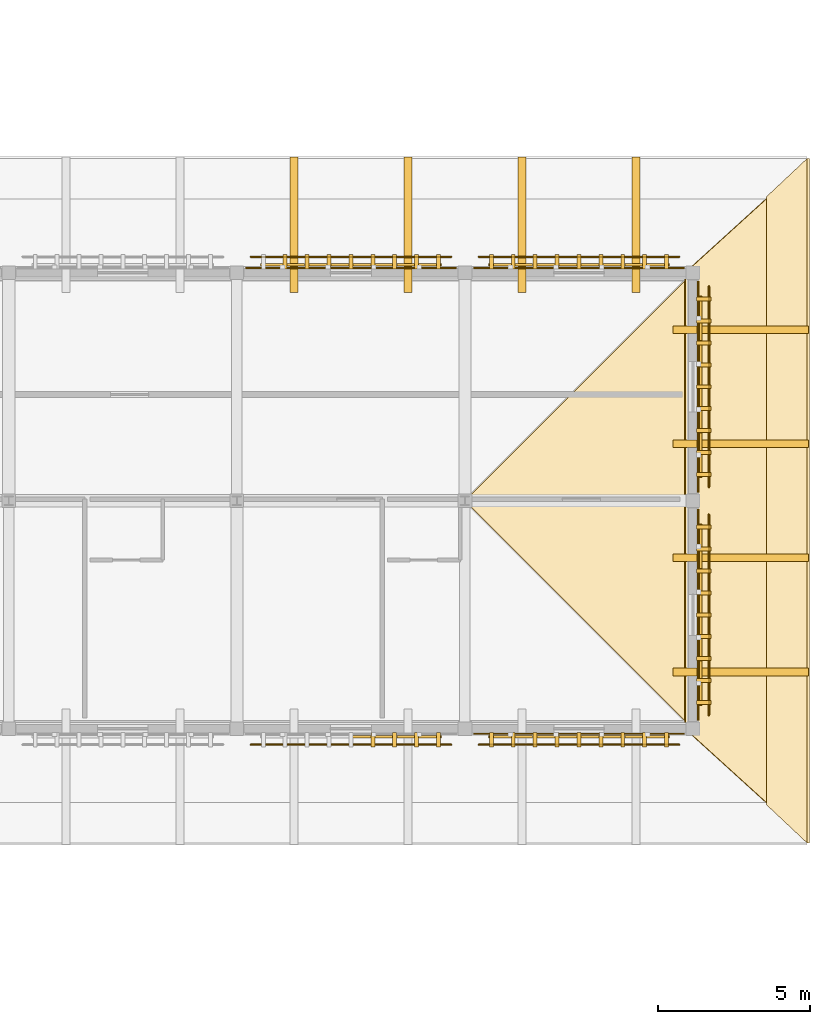
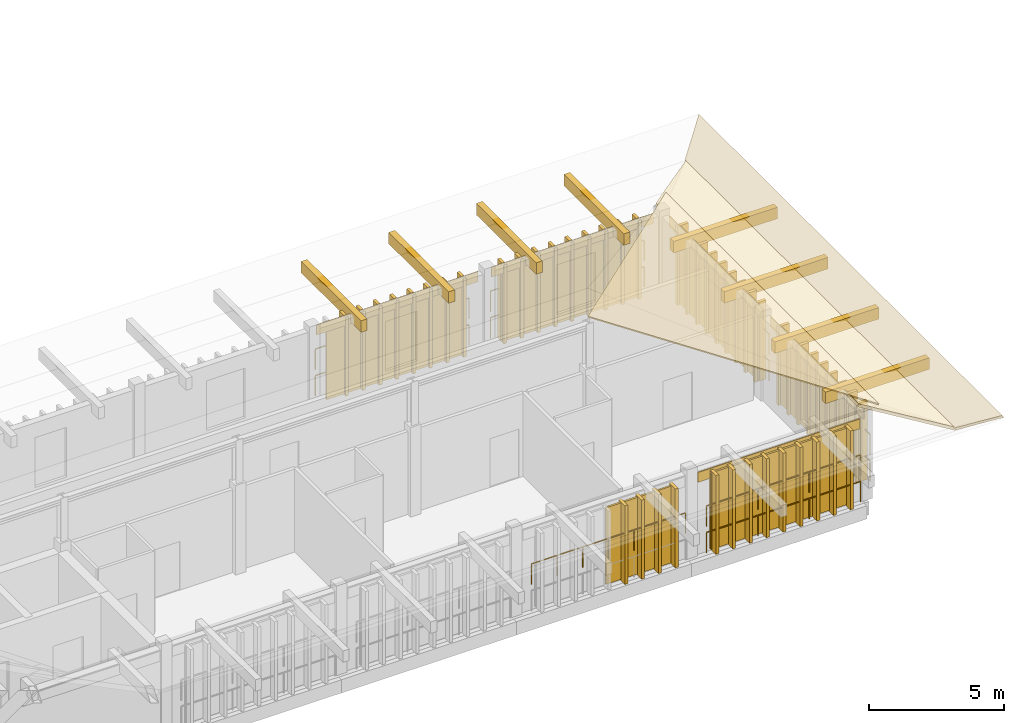
# One storey, part 33 of 33: 64 coverings, 22 shading devices, 11 railings.
"""IFC4 building model written with IfcOpenShell, lengths in metres."""

from ifc_helpers import new_model, si_unit, direction, frame, origin, origin_2d, place, context, subcontext, project, spatial, polyline, rectangle, circle, outline, extrude, material, layer, layer_set, type_object, element, save


model = new_model("IFC4")

# Units and contexts
model_context = context("Model", 3, precision=1e-05, world=origin(), true_north=direction((0.0, 1.0)))
body_context = subcontext(model_context, "Body", "Model", "MODEL_VIEW")
ifc_project = project(units=[si_unit("LENGTHUNIT", "METRE"), si_unit("AREAUNIT", "SQUARE_METRE"), si_unit("VOLUMEUNIT", "CUBIC_METRE"), si_unit("PLANEANGLEUNIT", "RADIAN"), si_unit("MASSUNIT", "GRAM", prefix="KILO")], contexts=[model_context])

# Site, building, storey
site_placement = place(None, origin())
site = spatial("IfcSite", under=ifc_project, at=site_placement, CompositionType="ELEMENT")
building_placement = place(site_placement, origin())
building = spatial("IfcBuilding", under=site, at=building_placement, Name="Dalvernix Boulevard General Hospital", CompositionType="ELEMENT")
storey_placement = place(building_placement, frame((0.0, 0.0, 21.89990234375)))
storey = spatial("IfcBuildingStorey", under=building, at=storey_placement, Name="L05", CompositionType="ELEMENT", Elevation=21.89990234375)

# Coverings
ifc_material_1 = material(Name="Polychrome Catalan glazed ceramic spandrel tile panel")
ifc_layer_1 = layer(ifc_material_1, 0.044921875)
ifc_layer_set_1 = layer_set([ifc_layer_1], Name="Polychrome Catalan glazed ceramic spandrel tile panel (COV-CLD-01)")
covering_type_1 = type_object("IfcCoveringType", Name="COV-CLD-01", PredefinedType="CLADDING", material=ifc_layer_set_1)
for number, where, z_axis, x_axis, name in (
    (1, (161.25, 22.659912109375, 3.294921875), (0.0, 0.0, 1.0), (1.0, 0.0, 0.0), "L05 polychrome ceramic spandrel N 21-3"),
    (2, (168.75, 7.340087890625, 3.294921875), (0.0, 0.0, 1.0), (-1.0, 0.0, 0.0), "L05 polychrome ceramic spandrel S 22-1"),
    (3, (172.659912109375, 11.25, 3.294921875), (0.0, 0.0, 1.0), (0.0, -1.0, 0.0), "L05 polychrome ceramic spandrel E 23-1"),
    (4, (168.75, 22.659912109375, 3.294921875), (0.0, 0.0, 1.0), (1.0, 0.0, 0.0), "L05 polychrome ceramic spandrel N 22-3"),
    (5, (172.659912109375, 18.75, 3.294921875), (0.0, 0.0, 1.0), (0.0, -1.0, 0.0), "L05 polychrome ceramic spandrel E 23-2"),
):
    element("IfcCovering", number, at=place(storey_placement, frame(where, z_axis=z_axis, x_axis=x_axis)), inside=storey, type_object=covering_type_1, Name=name, PredefinedType="CLADDING", context=body_context, shape_type="SweptSolid", body=[
        extrude(rectangle(XDim=6.929931640625, YDim=0.044921875, at=origin_2d()), origin(), (0.0, 0.0, 1.0), 0.449951171875),
    ])
ifc_material_2 = material(Name="Glazed Catalan terracotta and iroko timber overhanging upturned eave", Category="masonry")
ifc_layer_2 = layer(ifc_material_2, 0.139892578125)
ifc_layer_set_2 = layer_set([ifc_layer_2], Name="Glazed Catalan terracotta and iroko timber overhanging upturned eave (COV-EAVE-01)")
covering_type_2 = type_object("IfcCoveringType", Name="COV-EAVE-01", PredefinedType="CLADDING", material=ifc_layer_set_2)
covering_1_placement = place(storey_placement, frame((172.25, 7.5, 4.31005859375), z_axis=(0.185805173125, 0.0, 0.982586605669), x_axis=(0.0, 1.0, 0.0)))
element("IfcCovering", 6, at=covering_1_placement, inside=storey, type_object=covering_type_2, Name="V5 overhanging ceramic eave skirt E", PredefinedType="CLADDING", context=body_context, shape_type="SweptSolid", body=[
    extrude(outline(polyline([(0.0, 0.0), (15.0, 0.0), (17.5, -2.798735484621844), (-2.5, -2.798735484621844), (0.0, 0.0)])), origin(), (0.0, 0.0, -1.0), 0.139892578125),
])
covering_2_placement = place(storey_placement, frame((174.919921875, 5.0, 3.7900390625), z_axis=(-0.543014792189, 0.0, 0.839723130242), x_axis=(0.0, 1.0, 0.0)))
element("IfcCovering", 7, at=covering_2_placement, inside=storey, type_object=covering_type_2, Name="V5 upturned ceramic eave wing E", PredefinedType="CLADDING", context=body_context, shape_type="SweptSolid", body=[
    extrude(outline(polyline([(0.0, 0.0), (20.0, 0.0), (21.25, -1.5839484195414872), (-1.25, -1.5839484195414872), (0.0, 0.0)])), origin(), (0.0, 0.0, -1.0), 0.139892578125),
])
ifc_material_3 = material(Name="Preservative-treated glulam GL28h eave outlooker corbel bracket", Category="wood")
ifc_layer_3 = layer(ifc_material_3, 0.239990234375)
ifc_layer_set_3 = layer_set([ifc_layer_3], Name="Preservative-treated glulam GL28h eave outlooker corbel bracket (COV-OUTLOOK-01)")
covering_type_3 = type_object("IfcCoveringType", Name="COV-OUTLOOK-01", PredefinedType="CLADDING", material=ifc_layer_set_3)
for number, where, z_axis, x_axis, name in (
    (8, (159.375, 24.074951171875, 3.39013671875), (0.0, 0.0, 1.0), (1.0, 0.0, 0.0), "V5 glulam eave outlooker corbel N-11"),
    (9, (163.125, 24.074951171875, 3.39013671875), (0.0, 0.0, 1.0), (1.0, 0.0, 0.0), "V5 glulam eave outlooker corbel N-12"),
    (10, (166.875, 24.074951171875, 3.39013671875), (0.0, 0.0, 1.0), (1.0, 0.0, 0.0), "V5 glulam eave outlooker corbel N-13"),
    (11, (170.625, 24.074951171875, 3.39013671875), (0.0, 0.0, 1.0), (1.0, 0.0, 0.0), "V5 glulam eave outlooker corbel N-14"),
):
    element("IfcCovering", number, at=place(storey_placement, frame(where, z_axis=z_axis, x_axis=x_axis)), inside=storey, type_object=covering_type_3, Name=name, PredefinedType="CLADDING", context=body_context, shape_type="SweptSolid", body=[
        extrude(rectangle(XDim=0.260009765625, YDim=4.449951171875, at=origin_2d()), origin(), (0.0, 0.0, 1.0), 0.52001953125),
    ])
for number, where, z_axis, x_axis, name in (
    (12, (174.074951171875, 9.375, 3.39013671875), (0.0, 0.0, 1.0), (1.0, 0.0, 0.0), "V5 glulam eave outlooker corbel E-1"),
    (13, (174.074951171875, 13.125, 3.39013671875), (0.0, 0.0, 1.0), (1.0, 0.0, 0.0), "V5 glulam eave outlooker corbel E-2"),
    (14, (174.074951171875, 16.875, 3.39013671875), (0.0, 0.0, 1.0), (1.0, 0.0, 0.0), "V5 glulam eave outlooker corbel E-3"),
    (15, (174.074951171875, 20.625, 3.39013671875), (0.0, 0.0, 1.0), (1.0, 0.0, 0.0), "V5 glulam eave outlooker corbel E-4"),
):
    element("IfcCovering", number, at=place(storey_placement, frame(where, z_axis=z_axis, x_axis=x_axis)), inside=storey, type_object=covering_type_3, Name=name, PredefinedType="CLADDING", context=body_context, shape_type="SweptSolid", body=[
        extrude(rectangle(XDim=4.449951171875, YDim=0.260009765625, at=origin_2d()), origin(), (0.0, 0.0, 1.0), 0.52001953125),
    ])
ifc_material_4 = material(Name="Polychrome Catalan glazed terracotta roof tiles", Category="masonry")
ifc_layer_4 = layer(ifc_material_4, 0.050048828125)
ifc_layer_set_4 = layer_set([ifc_layer_4], Name="Polychrome Catalan glazed terracotta roof tiles (COV-ROOF-01)")
covering_type_4 = type_object("IfcCoveringType", Name="COV-ROOF-01", PredefinedType="ROOFING", material=ifc_layer_set_4)
covering_3_placement = place(storey_placement, frame((172.89990234375, 7.10009765625, 4.320068359375), z_axis=(0.238536653022, 0.0, 0.971133495028), x_axis=(0.0, 1.0, 0.0)))
element("IfcCovering", 16, at=covering_3_placement, inside=storey, type_object=covering_type_4, Name="V5 glazed terracotta tile slope E", PredefinedType="ROOFING", context=body_context, shape_type="SweptSolid", body=[
    extrude(outline(polyline([(0.0, 0.0), (15.7998046875, 0.0), (7.89990234375, 8.13472337654564), (0.0, 0.0)])), origin(), (0.0, 0.0, -1.0), 0.050048828125),
])
ifc_material_5 = material(Name="Preservative-treated West African iroko timber lattice screen", Category="wood")
ifc_layer_5 = layer(ifc_material_5, 0.1201171875)
ifc_layer_set_5 = layer_set([ifc_layer_5], Name="Preservative-treated West African iroko timber lattice screen (COV-TSCR-01)")
covering_type_5 = type_object("IfcCoveringType", Name="COV-TSCR-01", PredefinedType="CLADDING", material=ifc_layer_set_5)
for number, where, z_axis, x_axis, name in (
    (17, (164.1298828125, 7.139892578125, 0.10009765625), (0.0, 0.0, 1.0), (-1.0, 0.0, 0.0), "L05 upper-ward timber screen blade S 21-1-1"),
    (18, (163.409912109375, 7.139892578125, 0.10009765625), (0.0, 0.0, 1.0), (-1.0, 0.0, 0.0), "L05 upper-ward timber screen blade S 21-1-2"),
    (19, (162.68994140625, 7.139892578125, 0.10009765625), (0.0, 0.0, 1.0), (-1.0, 0.0, 0.0), "L05 upper-ward timber screen blade S 21-1-3"),
    (20, (161.969970703125, 7.139892578125, 0.10009765625), (0.0, 0.0, 1.0), (-1.0, 0.0, 0.0), "L05 upper-ward timber screen blade S 21-1-4"),
    (21, (159.090087890625, 22.860107421875, 0.10009765625), (0.0, 0.0, 1.0), (1.0, 0.0, 0.0), "L05 upper-ward timber screen blade N 21-3-2"),
    (22, (159.81005859375, 22.860107421875, 0.10009765625), (0.0, 0.0, 1.0), (1.0, 0.0, 0.0), "L05 upper-ward timber screen blade N 21-3-3"),
    (23, (160.530029296875, 22.860107421875, 0.10009765625), (0.0, 0.0, 1.0), (1.0, 0.0, 0.0), "L05 upper-ward timber screen blade N 21-3-4"),
    (24, (161.25, 22.860107421875, 0.10009765625), (0.0, 0.0, 1.0), (1.0, 0.0, 0.0), "L05 upper-ward timber screen blade N 21-3-5"),
    (25, (161.969970703125, 22.860107421875, 0.10009765625), (0.0, 0.0, 1.0), (1.0, 0.0, 0.0), "L05 upper-ward timber screen blade N 21-3-6"),
    (26, (162.68994140625, 22.860107421875, 0.10009765625), (0.0, 0.0, 1.0), (1.0, 0.0, 0.0), "L05 upper-ward timber screen blade N 21-3-7"),
    (27, (163.409912109375, 22.860107421875, 0.10009765625), (0.0, 0.0, 1.0), (1.0, 0.0, 0.0), "L05 upper-ward timber screen blade N 21-3-8"),
    (28, (164.1298828125, 22.860107421875, 0.10009765625), (0.0, 0.0, 1.0), (1.0, 0.0, 0.0), "L05 upper-ward timber screen blade N 21-3-9"),
    (29, (171.6298828125, 7.139892578125, 0.10009765625), (0.0, 0.0, 1.0), (-1.0, 0.0, 0.0), "L05 upper-ward timber screen blade S 22-1-1"),
    (30, (170.909912109375, 7.139892578125, 0.10009765625), (0.0, 0.0, 1.0), (-1.0, 0.0, 0.0), "L05 upper-ward timber screen blade S 22-1-2"),
    (31, (170.18994140625, 7.139892578125, 0.10009765625), (0.0, 0.0, 1.0), (-1.0, 0.0, 0.0), "L05 upper-ward timber screen blade S 22-1-3"),
    (32, (169.469970703125, 7.139892578125, 0.10009765625), (0.0, 0.0, 1.0), (-1.0, 0.0, 0.0), "L05 upper-ward timber screen blade S 22-1-4"),
    (33, (168.75, 7.139892578125, 0.10009765625), (0.0, 0.0, 1.0), (-1.0, 0.0, 0.0), "L05 upper-ward timber screen blade S 22-1-5"),
    (34, (168.030029296875, 7.139892578125, 0.10009765625), (0.0, 0.0, 1.0), (-1.0, 0.0, 0.0), "L05 upper-ward timber screen blade S 22-1-6"),
    (35, (167.31005859375, 7.139892578125, 0.10009765625), (0.0, 0.0, 1.0), (-1.0, 0.0, 0.0), "L05 upper-ward timber screen blade S 22-1-7"),
    (36, (166.590087890625, 7.139892578125, 0.10009765625), (0.0, 0.0, 1.0), (-1.0, 0.0, 0.0), "L05 upper-ward timber screen blade S 22-1-8"),
    (37, (165.8701171875, 7.139892578125, 0.10009765625), (0.0, 0.0, 1.0), (-1.0, 0.0, 0.0), "L05 upper-ward timber screen blade S 22-1-9"),
    (38, (172.860107421875, 14.1298828125, 0.10009765625), (0.0, 0.0, 1.0), (0.0, -1.0, 0.0), "L05 upper-ward timber screen blade E 23-1-1"),
    (39, (172.860107421875, 13.409912109375, 0.10009765625), (0.0, 0.0, 1.0), (0.0, -1.0, 0.0), "L05 upper-ward timber screen blade E 23-1-2"),
    (40, (172.860107421875, 12.68994140625, 0.10009765625), (0.0, 0.0, 1.0), (0.0, -1.0, 0.0), "L05 upper-ward timber screen blade E 23-1-3"),
    (41, (172.860107421875, 11.969970703125, 0.10009765625), (0.0, 0.0, 1.0), (0.0, -1.0, 0.0), "L05 upper-ward timber screen blade E 23-1-4"),
    (42, (172.860107421875, 11.25, 0.10009765625), (0.0, 0.0, 1.0), (0.0, -1.0, 0.0), "L05 upper-ward timber screen blade E 23-1-5"),
    (43, (172.860107421875, 10.530029296875, 0.10009765625), (0.0, 0.0, 1.0), (0.0, -1.0, 0.0), "L05 upper-ward timber screen blade E 23-1-6"),
    (44, (172.860107421875, 9.81005859375, 0.10009765625), (0.0, 0.0, 1.0), (0.0, -1.0, 0.0), "L05 upper-ward timber screen blade E 23-1-7"),
    (45, (172.860107421875, 9.090087890625, 0.10009765625), (0.0, 0.0, 1.0), (0.0, -1.0, 0.0), "L05 upper-ward timber screen blade E 23-1-8"),
    (46, (172.860107421875, 8.3701171875, 0.10009765625), (0.0, 0.0, 1.0), (0.0, -1.0, 0.0), "L05 upper-ward timber screen blade E 23-1-9"),
    (47, (165.8701171875, 22.860107421875, 0.10009765625), (0.0, 0.0, 1.0), (1.0, 0.0, 0.0), "L05 upper-ward timber screen blade N 22-3-1"),
    (48, (166.590087890625, 22.860107421875, 0.10009765625), (0.0, 0.0, 1.0), (1.0, 0.0, 0.0), "L05 upper-ward timber screen blade N 22-3-2"),
    (49, (167.31005859375, 22.860107421875, 0.10009765625), (0.0, 0.0, 1.0), (1.0, 0.0, 0.0), "L05 upper-ward timber screen blade N 22-3-3"),
    (50, (168.030029296875, 22.860107421875, 0.10009765625), (0.0, 0.0, 1.0), (1.0, 0.0, 0.0), "L05 upper-ward timber screen blade N 22-3-4"),
    (51, (168.75, 22.860107421875, 0.10009765625), (0.0, 0.0, 1.0), (1.0, 0.0, 0.0), "L05 upper-ward timber screen blade N 22-3-5"),
    (52, (169.469970703125, 22.860107421875, 0.10009765625), (0.0, 0.0, 1.0), (1.0, 0.0, 0.0), "L05 upper-ward timber screen blade N 22-3-6"),
    (53, (170.18994140625, 22.860107421875, 0.10009765625), (0.0, 0.0, 1.0), (1.0, 0.0, 0.0), "L05 upper-ward timber screen blade N 22-3-7"),
    (54, (170.909912109375, 22.860107421875, 0.10009765625), (0.0, 0.0, 1.0), (1.0, 0.0, 0.0), "L05 upper-ward timber screen blade N 22-3-8"),
    (55, (171.6298828125, 22.860107421875, 0.10009765625), (0.0, 0.0, 1.0), (1.0, 0.0, 0.0), "L05 upper-ward timber screen blade N 22-3-9"),
    (56, (172.860107421875, 21.6298828125, 0.10009765625), (0.0, 0.0, 1.0), (0.0, -1.0, 0.0), "L05 upper-ward timber screen blade E 23-2-1"),
    (57, (172.860107421875, 20.909912109375, 0.10009765625), (0.0, 0.0, 1.0), (0.0, -1.0, 0.0), "L05 upper-ward timber screen blade E 23-2-2"),
    (58, (172.860107421875, 20.18994140625, 0.10009765625), (0.0, 0.0, 1.0), (0.0, -1.0, 0.0), "L05 upper-ward timber screen blade E 23-2-3"),
    (59, (172.860107421875, 19.469970703125, 0.10009765625), (0.0, 0.0, 1.0), (0.0, -1.0, 0.0), "L05 upper-ward timber screen blade E 23-2-4"),
    (60, (172.860107421875, 18.75, 0.10009765625), (0.0, 0.0, 1.0), (0.0, -1.0, 0.0), "L05 upper-ward timber screen blade E 23-2-5"),
    (61, (172.860107421875, 18.030029296875, 0.10009765625), (0.0, 0.0, 1.0), (0.0, -1.0, 0.0), "L05 upper-ward timber screen blade E 23-2-6"),
    (62, (172.860107421875, 17.31005859375, 0.10009765625), (0.0, 0.0, 1.0), (0.0, -1.0, 0.0), "L05 upper-ward timber screen blade E 23-2-7"),
    (63, (172.860107421875, 16.590087890625, 0.10009765625), (0.0, 0.0, 1.0), (0.0, -1.0, 0.0), "L05 upper-ward timber screen blade E 23-2-8"),
    (64, (172.860107421875, 15.8701171875, 0.10009765625), (0.0, 0.0, 1.0), (0.0, -1.0, 0.0), "L05 upper-ward timber screen blade E 23-2-9"),
):
    element("IfcCovering", number, at=place(storey_placement, frame(where, z_axis=z_axis, x_axis=x_axis)), inside=storey, type_object=covering_type_5, Name=name, PredefinedType="CLADDING", context=body_context, shape_type="SweptSolid", body=[
        extrude(rectangle(XDim=0.1298828125, YDim=0.47998046875, at=origin_2d()), origin(), (0.0, 0.0, 1.0), 3.570068359375),
    ])

# Railings
ifc_material_6 = material(Name="Preservative-treated iroko timber horizontal screen louver rail", Category="wood")
railing_type = type_object("IfcRailingType", Name="RL-TSCR-01", PredefinedType="BALUSTRADE", material=ifc_material_6)
railing_placement = place(storey_placement, frame((164.544921875, 6.97998046875, 1.4501953125)))
element("IfcRailing", 65, at=railing_placement, inside=storey, type_object=railing_type, Name="L05 upper-ward horizontal timber screen louver S 21-1-2", PredefinedType="BALUSTRADE", context=body_context, shape_type="SweptSolid", body=[
    extrude(circle(Radius=0.02392578125, at=origin_2d()), frame((0.0, 0.0, 0.92578125), z_axis=(-1.0, 0.0, 0.0), x_axis=(0.0, -1.0, 0.0)), (0.0, 0.0, 1.0), 6.58984375),
    extrude(circle(Radius=0.02099609375, at=origin_2d()), origin(), (0.0, 0.0, 1.0), 0.90185546875),
    extrude(circle(Radius=0.02099609375, at=origin_2d()), frame((-1.098388671875, 0.0, 0.0)), (0.0, 0.0, 1.0), 0.90185546875),
    extrude(circle(Radius=0.02099609375, at=origin_2d()), frame((-2.196533203125, 0.0, 0.0)), (0.0, 0.0, 1.0), 0.90185546875),
    extrude(circle(Radius=0.02099609375, at=origin_2d()), frame((-3.294921875, 0.0, 0.0)), (0.0, 0.0, 1.0), 0.90185546875),
    extrude(circle(Radius=0.02099609375, at=origin_2d()), frame((-4.393310546875, 0.0, 0.0)), (0.0, 0.0, 1.0), 0.90185546875),
    extrude(circle(Radius=0.02099609375, at=origin_2d()), frame((-5.491455078125, 0.0, 0.0)), (0.0, 0.0, 1.0), 0.90185546875),
    extrude(circle(Radius=0.02099609375, at=origin_2d()), frame((-6.58984375, 0.0, 0.0)), (0.0, 0.0, 1.0), 0.90185546875),
])
for number, where, name in (
    (66, (157.955078125, 23.02001953125, 0.25), "L05 upper-ward horizontal timber screen louver N 21-3-1"),
    (67, (157.955078125, 23.02001953125, 1.4501953125), "L05 upper-ward horizontal timber screen louver N 21-3-2"),
):
    element("IfcRailing", number, at=place(storey_placement, frame(where)), inside=storey, type_object=railing_type, Name=name, PredefinedType="BALUSTRADE", context=body_context, shape_type="SweptSolid", body=[
        extrude(circle(Radius=0.02392578125, at=origin_2d()), frame((0.0, 0.0, 0.92578125), z_axis=(1.0, 0.0, 0.0), x_axis=(0.0, 1.0, 0.0)), (0.0, 0.0, 1.0), 6.58984375),
        extrude(circle(Radius=0.02099609375, at=origin_2d()), origin(), (0.0, 0.0, 1.0), 0.90185546875),
        extrude(circle(Radius=0.02099609375, at=origin_2d()), frame((1.098388671875, 0.0, 0.0)), (0.0, 0.0, 1.0), 0.90185546875),
        extrude(circle(Radius=0.02099609375, at=origin_2d()), frame((2.196533203125, 0.0, 0.0)), (0.0, 0.0, 1.0), 0.90185546875),
        extrude(circle(Radius=0.02099609375, at=origin_2d()), frame((3.294921875, 0.0, 0.0)), (0.0, 0.0, 1.0), 0.90185546875),
        extrude(circle(Radius=0.02099609375, at=origin_2d()), frame((4.393310546875, 0.0, 0.0)), (0.0, 0.0, 1.0), 0.90185546875),
        extrude(circle(Radius=0.02099609375, at=origin_2d()), frame((5.491455078125, 0.0, 0.0)), (0.0, 0.0, 1.0), 0.90185546875),
        extrude(circle(Radius=0.02099609375, at=origin_2d()), frame((6.58984375, 0.0, 0.0)), (0.0, 0.0, 1.0), 0.90185546875),
    ])
for number, where, name in (
    (68, (172.044921875, 6.97998046875, 0.25), "L05 upper-ward horizontal timber screen louver S 22-1-1"),
    (69, (172.044921875, 6.97998046875, 1.4501953125), "L05 upper-ward horizontal timber screen louver S 22-1-2"),
):
    element("IfcRailing", number, at=place(storey_placement, frame(where)), inside=storey, type_object=railing_type, Name=name, PredefinedType="BALUSTRADE", context=body_context, shape_type="SweptSolid", body=[
        extrude(circle(Radius=0.02392578125, at=origin_2d()), frame((0.0, 0.0, 0.92578125), z_axis=(-1.0, 0.0, 0.0), x_axis=(0.0, -1.0, 0.0)), (0.0, 0.0, 1.0), 6.58984375),
        extrude(circle(Radius=0.02099609375, at=origin_2d()), origin(), (0.0, 0.0, 1.0), 0.90185546875),
        extrude(circle(Radius=0.02099609375, at=origin_2d()), frame((-1.098388671875, 0.0, 0.0)), (0.0, 0.0, 1.0), 0.90185546875),
        extrude(circle(Radius=0.02099609375, at=origin_2d()), frame((-2.196533203125, 0.0, 0.0)), (0.0, 0.0, 1.0), 0.90185546875),
        extrude(circle(Radius=0.02099609375, at=origin_2d()), frame((-3.294921875, 0.0, 0.0)), (0.0, 0.0, 1.0), 0.90185546875),
        extrude(circle(Radius=0.02099609375, at=origin_2d()), frame((-4.393310546875, 0.0, 0.0)), (0.0, 0.0, 1.0), 0.90185546875),
        extrude(circle(Radius=0.02099609375, at=origin_2d()), frame((-5.491455078125, 0.0, 0.0)), (0.0, 0.0, 1.0), 0.90185546875),
        extrude(circle(Radius=0.02099609375, at=origin_2d()), frame((-6.58984375, 0.0, 0.0)), (0.0, 0.0, 1.0), 0.90185546875),
    ])
for number, where, name in (
    (70, (173.02001953125, 14.544921875, 0.25), "L05 upper-ward horizontal timber screen louver E 23-1-1"),
    (71, (173.02001953125, 14.544921875, 1.4501953125), "L05 upper-ward horizontal timber screen louver E 23-1-2"),
):
    element("IfcRailing", number, at=place(storey_placement, frame(where)), inside=storey, type_object=railing_type, Name=name, PredefinedType="BALUSTRADE", context=body_context, shape_type="SweptSolid", body=[
        extrude(circle(Radius=0.02392578125, at=origin_2d()), frame((0.0, 0.0, 0.92578125), z_axis=(0.0, -1.0, 0.0), x_axis=(1.0, 0.0, 0.0)), (0.0, 0.0, 1.0), 6.58984375),
        extrude(circle(Radius=0.02099609375, at=origin_2d()), origin(), (0.0, 0.0, 1.0), 0.90185546875),
        extrude(circle(Radius=0.02099609375, at=origin_2d()), frame((0.0, -1.098388671875, 0.0)), (0.0, 0.0, 1.0), 0.90185546875),
        extrude(circle(Radius=0.02099609375, at=origin_2d()), frame((0.0, -2.196533203125, 0.0)), (0.0, 0.0, 1.0), 0.90185546875),
        extrude(circle(Radius=0.02099609375, at=origin_2d()), frame((0.0, -3.294921875, 0.0)), (0.0, 0.0, 1.0), 0.90185546875),
        extrude(circle(Radius=0.02099609375, at=origin_2d()), frame((0.0, -4.393310546875, 0.0)), (0.0, 0.0, 1.0), 0.90185546875),
        extrude(circle(Radius=0.02099609375, at=origin_2d()), frame((0.0, -5.491455078125, 0.0)), (0.0, 0.0, 1.0), 0.90185546875),
        extrude(circle(Radius=0.02099609375, at=origin_2d()), frame((0.0, -6.58984375, 0.0)), (0.0, 0.0, 1.0), 0.90185546875),
    ])
for number, where, name in (
    (72, (165.455078125, 23.02001953125, 0.25), "L05 upper-ward horizontal timber screen louver N 22-3-1"),
    (73, (165.455078125, 23.02001953125, 1.4501953125), "L05 upper-ward horizontal timber screen louver N 22-3-2"),
):
    element("IfcRailing", number, at=place(storey_placement, frame(where)), inside=storey, type_object=railing_type, Name=name, PredefinedType="BALUSTRADE", context=body_context, shape_type="SweptSolid", body=[
        extrude(circle(Radius=0.02392578125, at=origin_2d()), frame((0.0, 0.0, 0.92578125), z_axis=(1.0, 0.0, 0.0), x_axis=(0.0, 1.0, 0.0)), (0.0, 0.0, 1.0), 6.58984375),
        extrude(circle(Radius=0.02099609375, at=origin_2d()), origin(), (0.0, 0.0, 1.0), 0.90185546875),
        extrude(circle(Radius=0.02099609375, at=origin_2d()), frame((1.098388671875, 0.0, 0.0)), (0.0, 0.0, 1.0), 0.90185546875),
        extrude(circle(Radius=0.02099609375, at=origin_2d()), frame((2.196533203125, 0.0, 0.0)), (0.0, 0.0, 1.0), 0.90185546875),
        extrude(circle(Radius=0.02099609375, at=origin_2d()), frame((3.294921875, 0.0, 0.0)), (0.0, 0.0, 1.0), 0.90185546875),
        extrude(circle(Radius=0.02099609375, at=origin_2d()), frame((4.393310546875, 0.0, 0.0)), (0.0, 0.0, 1.0), 0.90185546875),
        extrude(circle(Radius=0.02099609375, at=origin_2d()), frame((5.491455078125, 0.0, 0.0)), (0.0, 0.0, 1.0), 0.90185546875),
        extrude(circle(Radius=0.02099609375, at=origin_2d()), frame((6.58984375, 0.0, 0.0)), (0.0, 0.0, 1.0), 0.90185546875),
    ])
for number, where, name in (
    (74, (173.02001953125, 22.044921875, 0.25), "L05 upper-ward horizontal timber screen louver E 23-2-1"),
    (75, (173.02001953125, 22.044921875, 1.4501953125), "L05 upper-ward horizontal timber screen louver E 23-2-2"),
):
    element("IfcRailing", number, at=place(storey_placement, frame(where)), inside=storey, type_object=railing_type, Name=name, PredefinedType="BALUSTRADE", context=body_context, shape_type="SweptSolid", body=[
        extrude(circle(Radius=0.02392578125, at=origin_2d()), frame((0.0, 0.0, 0.92578125), z_axis=(0.0, -1.0, 0.0), x_axis=(1.0, 0.0, 0.0)), (0.0, 0.0, 1.0), 6.58984375),
        extrude(circle(Radius=0.02099609375, at=origin_2d()), origin(), (0.0, 0.0, 1.0), 0.90185546875),
        extrude(circle(Radius=0.02099609375, at=origin_2d()), frame((0.0, -1.098388671875, 0.0)), (0.0, 0.0, 1.0), 0.90185546875),
        extrude(circle(Radius=0.02099609375, at=origin_2d()), frame((0.0, -2.196533203125, 0.0)), (0.0, 0.0, 1.0), 0.90185546875),
        extrude(circle(Radius=0.02099609375, at=origin_2d()), frame((0.0, -3.294921875, 0.0)), (0.0, 0.0, 1.0), 0.90185546875),
        extrude(circle(Radius=0.02099609375, at=origin_2d()), frame((0.0, -4.393310546875, 0.0)), (0.0, 0.0, 1.0), 0.90185546875),
        extrude(circle(Radius=0.02099609375, at=origin_2d()), frame((0.0, -5.491455078125, 0.0)), (0.0, 0.0, 1.0), 0.90185546875),
        extrude(circle(Radius=0.02099609375, at=origin_2d()), frame((0.0, -6.58984375, 0.0)), (0.0, 0.0, 1.0), 0.90185546875),
    ])

# Shading devices
ifc_material_7 = material(Name="Perforated iroko timber and glazed ceramic screen (30 percent open)", Category="wood")
shading_device_type = type_object("IfcShadingDeviceType", Name="SHD-SCR-01", PredefinedType="USERDEFINED", material=ifc_material_7)
for number, where, z_axis, x_axis, name in (
    (76, (163.5, 7.239990234375, 0.14990234375), (0.0, 0.0, 1.0), (-1.0, 0.0, 0.0), "L05 perforated timber screen 1"),
    (77, (162.0, 7.239990234375, 0.14990234375), (0.0, 0.0, 1.0), (-1.0, 0.0, 0.0), "L05 perforated timber screen 2"),
    (78, (159.0, 22.760009765625, 0.14990234375), (0.0, 0.0, 1.0), (1.0, 0.0, 0.0), "L05 perforated timber screen 1"),
    (79, (160.5, 22.760009765625, 0.14990234375), (0.0, 0.0, 1.0), (1.0, 0.0, 0.0), "L05 perforated timber screen 2"),
    (80, (162.0, 22.760009765625, 0.14990234375), (0.0, 0.0, 1.0), (1.0, 0.0, 0.0), "L05 perforated timber screen 3"),
    (81, (163.5, 22.760009765625, 0.14990234375), (0.0, 0.0, 1.0), (1.0, 0.0, 0.0), "L05 perforated timber screen 4"),
    (82, (171.0, 7.239990234375, 0.14990234375), (0.0, 0.0, 1.0), (-1.0, 0.0, 0.0), "L05 perforated timber screen 1"),
    (83, (169.5, 7.239990234375, 0.14990234375), (0.0, 0.0, 1.0), (-1.0, 0.0, 0.0), "L05 perforated timber screen 2"),
    (84, (168.0, 7.239990234375, 0.14990234375), (0.0, 0.0, 1.0), (-1.0, 0.0, 0.0), "L05 perforated timber screen 3"),
    (85, (166.5, 7.239990234375, 0.14990234375), (0.0, 0.0, 1.0), (-1.0, 0.0, 0.0), "L05 perforated timber screen 4"),
    (86, (172.760009765625, 13.5, 0.14990234375), (0.0, 0.0, 1.0), (0.0, -1.0, 0.0), "L05 perforated timber screen 1"),
    (87, (172.760009765625, 12.0, 0.14990234375), (0.0, 0.0, 1.0), (0.0, -1.0, 0.0), "L05 perforated timber screen 2"),
    (88, (172.760009765625, 10.5, 0.14990234375), (0.0, 0.0, 1.0), (0.0, -1.0, 0.0), "L05 perforated timber screen 3"),
    (89, (172.760009765625, 9.0, 0.14990234375), (0.0, 0.0, 1.0), (0.0, -1.0, 0.0), "L05 perforated timber screen 4"),
    (90, (166.5, 22.760009765625, 0.14990234375), (0.0, 0.0, 1.0), (1.0, 0.0, 0.0), "L05 perforated timber screen 1"),
    (91, (168.0, 22.760009765625, 0.14990234375), (0.0, 0.0, 1.0), (1.0, 0.0, 0.0), "L05 perforated timber screen 2"),
    (92, (169.5, 22.760009765625, 0.14990234375), (0.0, 0.0, 1.0), (1.0, 0.0, 0.0), "L05 perforated timber screen 3"),
    (93, (171.0, 22.760009765625, 0.14990234375), (0.0, 0.0, 1.0), (1.0, 0.0, 0.0), "L05 perforated timber screen 4"),
    (94, (172.760009765625, 21.0, 0.14990234375), (0.0, 0.0, 1.0), (0.0, -1.0, 0.0), "L05 perforated timber screen 1"),
    (95, (172.760009765625, 19.5, 0.14990234375), (0.0, 0.0, 1.0), (0.0, -1.0, 0.0), "L05 perforated timber screen 2"),
    (96, (172.760009765625, 18.0, 0.14990234375), (0.0, 0.0, 1.0), (0.0, -1.0, 0.0), "L05 perforated timber screen 3"),
    (97, (172.760009765625, 16.5, 0.14990234375), (0.0, 0.0, 1.0), (0.0, -1.0, 0.0), "L05 perforated timber screen 4"),
):
    element("IfcShadingDevice", number, at=place(storey_placement, frame(where, z_axis=z_axis, x_axis=x_axis)), inside=storey, type_object=shading_device_type, Name=name, ObjectType="SCREEN", PredefinedType="USERDEFINED", context=body_context, shape_type="SweptSolid", body=[
        extrude(rectangle(XDim=1.4599609375, YDim=0.080078125, at=origin_2d()), origin(), (0.0, 0.0, 1.0), 3.469970703125),
    ])

save(model, "model.ifc")
